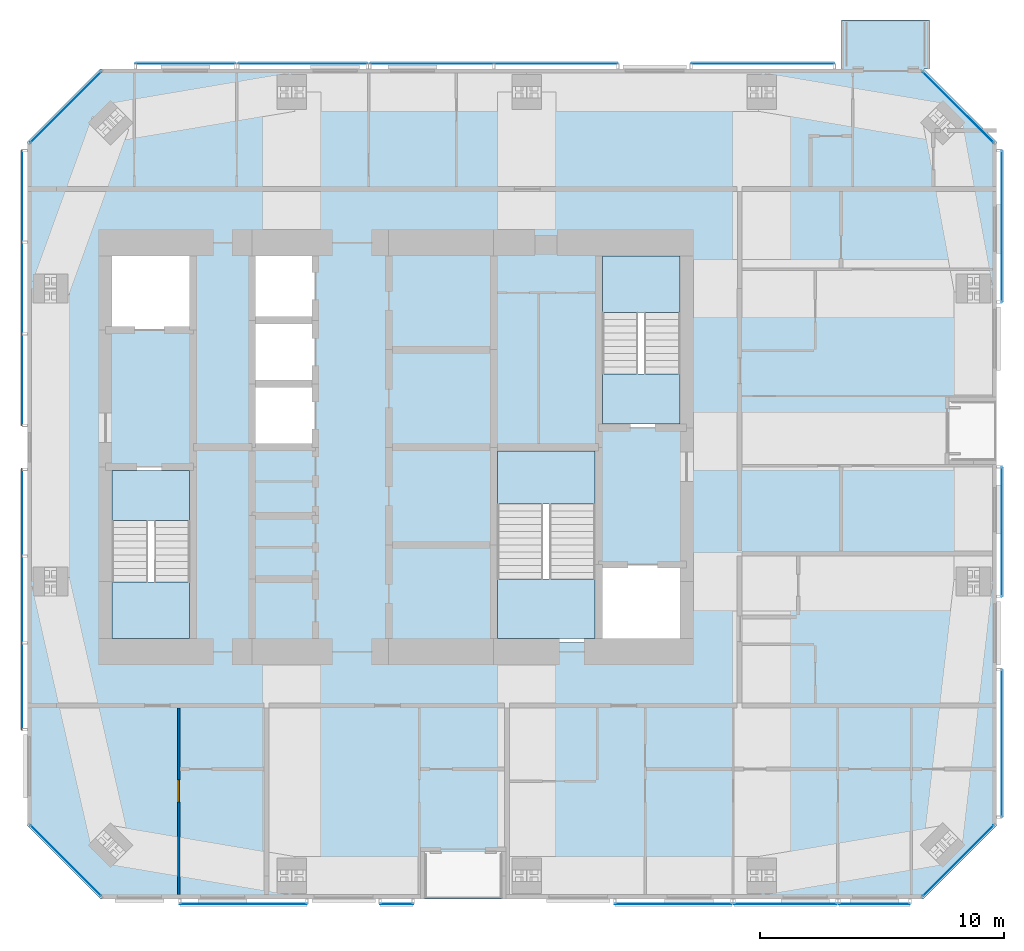
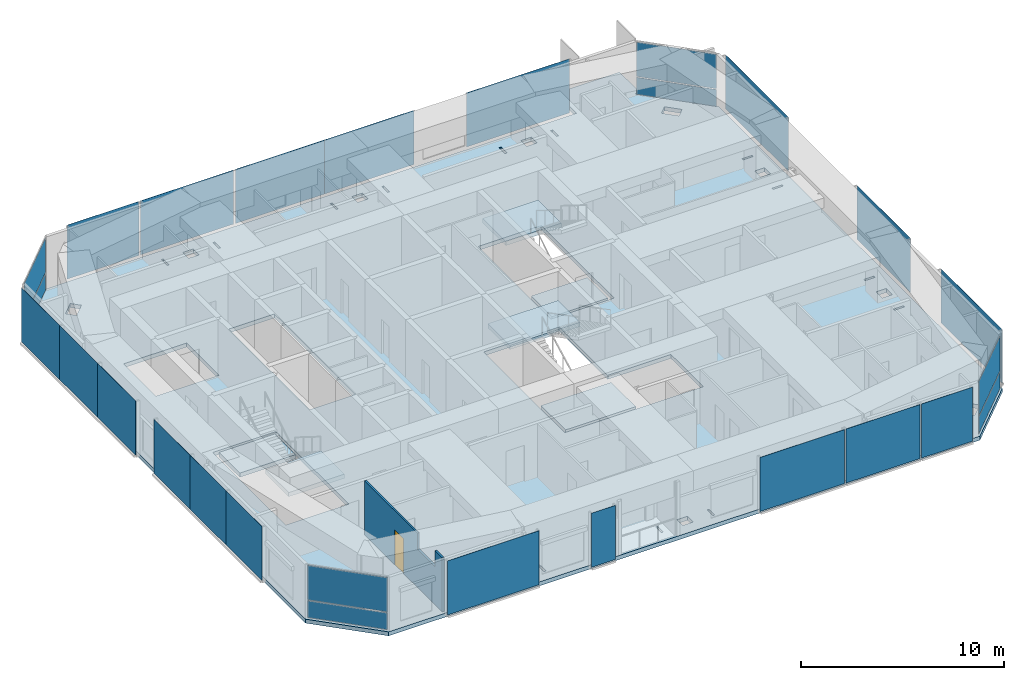
# One storey, part 13 of 20: 27 plates, 7 slabs, 1 door, 1 wall, 1 opening, 21 elements without a shape of their own.
"""IFC4 building model written with IfcOpenShell, lengths in metres."""

from ifc_helpers import new_model, si_unit, direction, frame, frame_2d, origin, origin_2d, place, context, subcontext, project, spatial, polyline, rectangle, outline, extrude, material, layer, layer_set, constituent, constituent_set, type_object, element, fill, aggregate, save


model = new_model("IFC4")

# Units and contexts
model_context = context("Model", 3, precision=1e-05, world=origin(), true_north=direction((0.0, 1.0)))
body_context = subcontext(model_context, "Body", "Model", "MODEL_VIEW")
ifc_project = project(units=[si_unit("LENGTHUNIT", "METRE"), si_unit("AREAUNIT", "SQUARE_METRE"), si_unit("VOLUMEUNIT", "CUBIC_METRE"), si_unit("PLANEANGLEUNIT", "RADIAN"), si_unit("MASSUNIT", "GRAM", prefix="KILO")], contexts=[model_context])

# Site, building, storey
site_placement = place(None, origin())
site = spatial("IfcSite", under=ifc_project, at=site_placement, CompositionType="ELEMENT")
building_placement = place(site_placement, origin())
building = spatial("IfcBuilding", under=site, at=building_placement, Name="Jalousie Tower", CompositionType="ELEMENT")
storey_placement = place(building_placement, frame((0.0, 0.0, 238.949951171875)))
storey = spatial("IfcBuildingStorey", under=building, at=storey_placement, Name="L65", CompositionType="ELEMENT", Elevation=238.949951171875)

# Curtain wall, plates
ifc_material_1 = material(Name="Aluminium curtain wall", Category="aluminium")
curtain_wall_type_1 = type_object("IfcCurtainWallType", Name="CORNER WINDOW WALL", PredefinedType="USERDEFINED", material=ifc_material_1)
curtain_wall_1_placement = place(storey_placement, origin())
curtain_wall_1 = element("IfcCurtainWall", 1, at=curtain_wall_1_placement, inside=storey, type_object=curtain_wall_type_1, Name="Corner Window Wall L65 2", ObjectType="CORNER WINDOW WALL", PredefinedType="USERDEFINED")
ifc_material_2 = material(Name="Laminated impact-rated spandrel glass", Category="glass")
ifc_layer_1 = layer(ifc_material_2, 0.028076171875)
ifc_layer_set_1 = layer_set([ifc_layer_1], Name="Laminated impact-rated spandrel glass")
plate_type_1 = type_object("IfcPlateType", Name="CORNER WINDOW WALL PANEL", PredefinedType="CURTAIN_PANEL", material=ifc_layer_set_1)
plate_1_placement = place(storey_placement, frame((54.9306640625, 1.5693359375, 0.06005859375), z_axis=(0.0, 0.0, 1.0), x_axis=(0.707106781187, 0.707106781187, 0.0)))
plate_1 = element("IfcPlate", 2, at=plate_1_placement, type_object=plate_type_1, Name="CW-C panel 1.1", PredefinedType="CURTAIN_PANEL", context=body_context, shape_type="SweptSolid", body=[
    extrude(rectangle(XDim=4.071533203125, YDim=0.028076171875, at=origin_2d()), origin(), (0.0, 0.0, 1.0), 1.010009765625),
])
plate_2_placement = place(storey_placement, frame((54.9306640625, 1.5693359375, 1.1298828125), z_axis=(0.0, 0.0, 1.0), x_axis=(0.707106781187, 0.707106781187, 0.0)))
plate_2 = element("IfcPlate", 3, at=plate_2_placement, type_object=plate_type_1, Name="CW-C panel 1.2", PredefinedType="CURTAIN_PANEL", context=body_context, shape_type="SweptSolid", body=[
    extrude(rectangle(XDim=4.071533203125, YDim=0.028076171875, at=origin_2d()), origin(), (0.0, 0.0, 1.0), 2.070068359375),
])
aggregate(curtain_wall_1, [plate_1, plate_2])

curtain_wall_2_placement = place(storey_placement, origin())
curtain_wall_2 = element("IfcCurtainWall", 4, at=curtain_wall_2_placement, inside=storey, type_object=curtain_wall_type_1, Name="Corner Window Wall L65 4", ObjectType="CORNER WINDOW WALL", PredefinedType="USERDEFINED")
plate_3_placement = place(storey_placement, frame((54.9306640625, 32.4306640625, 0.06005859375), z_axis=(0.0, 0.0, 1.0), x_axis=(-0.707106781187, 0.707106781187, 0.0)))
plate_3 = element("IfcPlate", 5, at=plate_3_placement, type_object=plate_type_1, Name="CW-C panel 1.1", PredefinedType="CURTAIN_PANEL", context=body_context, shape_type="SweptSolid", body=[
    extrude(rectangle(XDim=4.071533203125, YDim=0.028076171875, at=origin_2d()), origin(), (0.0, 0.0, 1.0), 1.010009765625),
])
plate_4_placement = place(storey_placement, frame((54.9306640625, 32.4306640625, 1.1298828125), z_axis=(0.0, 0.0, 1.0), x_axis=(-0.707106781187, 0.707106781187, 0.0)))
plate_4 = element("IfcPlate", 6, at=plate_4_placement, type_object=plate_type_1, Name="CW-C panel 1.2", PredefinedType="CURTAIN_PANEL", context=body_context, shape_type="SweptSolid", body=[
    extrude(rectangle(XDim=4.071533203125, YDim=0.028076171875, at=origin_2d()), origin(), (0.0, 0.0, 1.0), 2.070068359375),
])
aggregate(curtain_wall_2, [plate_3, plate_4])

curtain_wall_3_placement = place(storey_placement, origin())
curtain_wall_3 = element("IfcCurtainWall", 7, at=curtain_wall_3_placement, inside=storey, type_object=curtain_wall_type_1, Name="Corner Window Wall L65 6", ObjectType="CORNER WINDOW WALL", PredefinedType="USERDEFINED")
plate_5_placement = place(storey_placement, frame((18.369384765625, 32.4306640625, 0.06005859375), z_axis=(0.0, 0.0, 1.0), x_axis=(-0.707106781187, -0.707106781187, 0.0)))
plate_5 = element("IfcPlate", 8, at=plate_5_placement, type_object=plate_type_1, Name="CW-C panel 1.1", PredefinedType="CURTAIN_PANEL", context=body_context, shape_type="SweptSolid", body=[
    extrude(rectangle(XDim=4.071533203125, YDim=0.028076171875, at=origin_2d()), origin(), (0.0, 0.0, 1.0), 1.010009765625),
])
plate_6_placement = place(storey_placement, frame((18.369384765625, 32.4306640625, 1.1298828125), z_axis=(0.0, 0.0, 1.0), x_axis=(-0.707106781187, -0.707106781187, 0.0)))
plate_6 = element("IfcPlate", 9, at=plate_6_placement, type_object=plate_type_1, Name="CW-C panel 1.2", PredefinedType="CURTAIN_PANEL", context=body_context, shape_type="SweptSolid", body=[
    extrude(rectangle(XDim=4.071533203125, YDim=0.028076171875, at=origin_2d()), origin(), (0.0, 0.0, 1.0), 2.070068359375),
])
aggregate(curtain_wall_3, [plate_5, plate_6])

curtain_wall_4_placement = place(storey_placement, origin())
curtain_wall_4 = element("IfcCurtainWall", 10, at=curtain_wall_4_placement, inside=storey, type_object=curtain_wall_type_1, Name="Corner Window Wall L65 8", ObjectType="CORNER WINDOW WALL", PredefinedType="USERDEFINED")
plate_7_placement = place(storey_placement, frame((18.369384765625, 1.5693359375, 0.06005859375), z_axis=(0.0, 0.0, 1.0), x_axis=(0.707106781187, -0.707106781187, 0.0)))
plate_7 = element("IfcPlate", 11, at=plate_7_placement, type_object=plate_type_1, Name="CW-C panel 1.1", PredefinedType="CURTAIN_PANEL", context=body_context, shape_type="SweptSolid", body=[
    extrude(rectangle(XDim=4.071533203125, YDim=0.028076171875, at=origin_2d()), origin(), (0.0, 0.0, 1.0), 1.010009765625),
])
plate_8_placement = place(storey_placement, frame((18.369384765625, 1.5693359375, 1.1298828125), z_axis=(0.0, 0.0, 1.0), x_axis=(0.707106781187, -0.707106781187, 0.0)))
plate_8 = element("IfcPlate", 12, at=plate_8_placement, type_object=plate_type_1, Name="CW-C panel 1.2", PredefinedType="CURTAIN_PANEL", context=body_context, shape_type="SweptSolid", body=[
    extrude(rectangle(XDim=4.071533203125, YDim=0.028076171875, at=origin_2d()), origin(), (0.0, 0.0, 1.0), 2.070068359375),
])
aggregate(curtain_wall_4, [plate_7, plate_8])

# Slab
ifc_material_3 = material(Name="Concrete f'c 40 MPa", Category="concrete")
ifc_layer_2 = layer(ifc_material_3, 0.239990234375)
ifc_layer_set_2 = layer_set([ifc_layer_2], Name="Concrete f'c 40 MPa")
slab_type_1 = type_object("IfcSlabType", Name="FLOOR SLAB 240", PredefinedType="FLOOR", material=ifc_layer_set_2)
slab_1_placement = place(storey_placement, frame((0.0, 0.0, -0.239990234375)))
element("IfcSlab", 13, at=slab_1_placement, inside=storey, type_object=slab_type_1, Name="L65 floor slab", PredefinedType="FLOOR", context=body_context, shape_type="SweptSolid", body=[
    extrude(outline(polyline([(16.800048828125, 3.0), (16.800048828125, 31.0), (19.800048828125, 34.0), (50.148681640625, 34.0), (50.148681640625, 36.0), (53.748779296875, 36.0), (53.748779296875, 34.0), (53.5, 34.0), (56.5, 31.0), (56.5, 3.0), (53.5, 0.0), (19.800048828125, 0.0), (16.800048828125, 3.0)]), holes=[polyline([(55.836181640625, 26.52490234375), (55.263916015625, 26.52490234375), (55.263916015625, 26.4111328125), (55.836181640625, 26.4111328125), (55.836181640625, 26.52490234375)]), polyline([(55.263916015625, 25.300048828125), (55.263916015625, 24.699951171875), (55.836181640625, 24.699951171875), (55.836181640625, 25.300048828125), (55.263916015625, 25.300048828125)]), polyline([(55.836181640625, 14.52490234375), (55.263916015625, 14.52490234375), (55.263916015625, 14.4111328125), (55.836181640625, 14.4111328125), (55.836181640625, 14.52490234375)]), polyline([(55.263916015625, 13.300048828125), (55.263916015625, 12.699951171875), (55.836181640625, 12.699951171875), (55.836181640625, 13.300048828125), (55.263916015625, 13.300048828125)]), polyline([(55.263916015625, 23.47509765625), (55.836181640625, 23.47509765625), (55.836181640625, 23.5888671875), (55.263916015625, 23.5888671875), (55.263916015625, 23.47509765625)]), polyline([(55.263916015625, 11.47509765625), (55.836181640625, 11.47509765625), (55.836181640625, 11.5888671875), (55.263916015625, 11.5888671875), (55.263916015625, 11.47509765625)]), polyline([(54.8134765625, 31.677001953125), (54.177001953125, 32.3134765625), (53.772216796875, 31.90869140625), (54.40869140625, 31.272216796875), (54.8134765625, 31.677001953125)]), polyline([(54.177001953125, 1.6865234375), (54.8134765625, 2.322998046875), (54.40869140625, 2.727783203125), (53.772216796875, 2.09130859375), (54.177001953125, 1.6865234375)]), polyline([(48.39990234375, 32.763916015625), (48.39990234375, 33.336181640625), (48.2861328125, 33.336181640625), (48.2861328125, 32.763916015625), (48.39990234375, 32.763916015625)]), polyline([(48.39990234375, 0.663818359375), (48.39990234375, 1.236083984375), (48.2861328125, 1.236083984375), (48.2861328125, 0.663818359375), (48.39990234375, 0.663818359375)]), polyline([(46.574951171875, 32.763916015625), (47.175048828125, 32.763916015625), (47.175048828125, 33.336181640625), (46.574951171875, 33.336181640625), (46.574951171875, 32.763916015625)]), polyline([(46.574951171875, 0.663818359375), (47.175048828125, 0.663818359375), (47.175048828125, 1.236083984375), (46.574951171875, 1.236083984375), (46.574951171875, 0.663818359375)]), polyline([(45.35009765625, 33.336181640625), (45.35009765625, 32.763916015625), (45.4638671875, 32.763916015625), (45.4638671875, 33.336181640625), (45.35009765625, 33.336181640625)]), polyline([(45.35009765625, 0.663818359375), (45.4638671875, 0.663818359375), (45.4638671875, 1.236083984375), (45.35009765625, 1.236083984375), (45.35009765625, 0.663818359375)]), polyline([(43.800048828125, 19.300048828125), (43.800048828125, 26.5), (40.199951171875, 26.5), (40.199951171875, 19.300048828125), (43.800048828125, 19.300048828125)]), polyline([(35.89990234375, 18.5), (35.89990234375, 10.5), (43.800048828125, 10.5), (43.800048828125, 13.699951171875), (40.199951171875, 13.699951171875), (40.199951171875, 18.5), (35.89990234375, 18.5)]), polyline([(38.77490234375, 32.763916015625), (38.77490234375, 33.336181640625), (38.6611328125, 33.336181640625), (38.6611328125, 32.763916015625), (38.77490234375, 32.763916015625)]), polyline([(38.77490234375, 0.663818359375), (38.77490234375, 1.236083984375), (38.6611328125, 1.236083984375), (38.6611328125, 0.663818359375), (38.77490234375, 0.663818359375)]), polyline([(36.949951171875, 32.763916015625), (37.550048828125, 32.763916015625), (37.550048828125, 33.336181640625), (36.949951171875, 33.336181640625), (36.949951171875, 32.763916015625)]), polyline([(37.550048828125, 1.236083984375), (36.949951171875, 1.236083984375), (36.949951171875, 0.663818359375), (37.550048828125, 0.663818359375), (37.550048828125, 1.236083984375)]), polyline([(35.72509765625, 1.236083984375), (35.72509765625, 0.663818359375), (35.8388671875, 0.663818359375), (35.8388671875, 1.236083984375), (35.72509765625, 1.236083984375)]), polyline([(35.72509765625, 32.763916015625), (35.8388671875, 32.763916015625), (35.8388671875, 33.336181640625), (35.72509765625, 33.336181640625), (35.72509765625, 32.763916015625)]), polyline([(29.14990234375, 1.236083984375), (29.0361328125, 1.236083984375), (29.0361328125, 0.663818359375), (29.14990234375, 0.663818359375), (29.14990234375, 1.236083984375)]), polyline([(29.14990234375, 32.763916015625), (29.14990234375, 33.336181640625), (29.0361328125, 33.336181640625), (29.0361328125, 32.763916015625), (29.14990234375, 32.763916015625)]), polyline([(28.60009765625, 18.5), (28.60009765625, 26.5), (26.0, 26.5), (26.0, 18.5), (28.60009765625, 18.5)]), polyline([(27.324951171875, 32.763916015625), (27.925048828125, 32.763916015625), (27.925048828125, 33.336181640625), (27.324951171875, 33.336181640625), (27.324951171875, 32.763916015625)]), polyline([(27.324951171875, 0.663818359375), (27.925048828125, 0.663818359375), (27.925048828125, 1.236083984375), (27.324951171875, 1.236083984375), (27.324951171875, 0.663818359375)]), polyline([(26.10009765625, 33.336181640625), (26.10009765625, 32.763916015625), (26.2138671875, 32.763916015625), (26.2138671875, 33.336181640625), (26.10009765625, 33.336181640625)]), polyline([(26.10009765625, 0.663818359375), (26.2138671875, 0.663818359375), (26.2138671875, 1.236083984375), (26.10009765625, 1.236083984375), (26.10009765625, 0.663818359375)]), polyline([(23.60009765625, 23.300048828125), (23.60009765625, 26.5), (20.0, 26.5), (20.0, 23.300048828125), (23.60009765625, 23.300048828125)]), polyline([(23.60009765625, 10.5), (23.60009765625, 17.699951171875), (20.0, 17.699951171875), (20.0, 10.5), (23.60009765625, 10.5)]), polyline([(19.6865234375, 2.322998046875), (20.322998046875, 1.6865234375), (20.727783203125, 2.09130859375), (20.09130859375, 2.727783203125), (19.6865234375, 2.322998046875)]), polyline([(19.6865234375, 31.677001953125), (20.09130859375, 31.272216796875), (20.727783203125, 31.90869140625), (20.322998046875, 32.3134765625), (19.6865234375, 31.677001953125)]), polyline([(17.4638671875, 11.47509765625), (18.0361328125, 11.47509765625), (18.0361328125, 11.5888671875), (17.4638671875, 11.5888671875), (17.4638671875, 11.47509765625)]), polyline([(18.0361328125, 26.52490234375), (17.4638671875, 26.52490234375), (17.4638671875, 26.4111328125), (18.0361328125, 26.4111328125), (18.0361328125, 26.52490234375)]), polyline([(18.0361328125, 25.300048828125), (17.4638671875, 25.300048828125), (17.4638671875, 24.699951171875), (18.0361328125, 24.699951171875), (18.0361328125, 25.300048828125)]), polyline([(18.0361328125, 14.52490234375), (17.4638671875, 14.52490234375), (17.4638671875, 14.4111328125), (18.0361328125, 14.4111328125), (18.0361328125, 14.52490234375)]), polyline([(17.4638671875, 13.300048828125), (17.4638671875, 12.699951171875), (18.0361328125, 12.699951171875), (18.0361328125, 13.300048828125), (17.4638671875, 13.300048828125)]), polyline([(17.4638671875, 23.47509765625), (18.0361328125, 23.47509765625), (18.0361328125, 23.5888671875), (17.4638671875, 23.5888671875), (17.4638671875, 23.47509765625)])]), origin(), (0.0, 0.0, 1.0), 0.239990234375),
])

# Curtain wall, plate
ifc_material_4 = material(Name="Perforated aluminium sheet", Category="aluminium")
curtain_wall_type_2 = type_object("IfcCurtainWallType", Name="SOLAR SCREEN SS-2", PredefinedType="USERDEFINED", material=ifc_material_4)
curtain_wall_5_placement = place(storey_placement, origin())
curtain_wall_5 = element("IfcCurtainWall", 14, at=curtain_wall_5_placement, inside=storey, type_object=curtain_wall_type_2, Name="Solar screen L65", ObjectType="SOLAR SCREEN SS-2", PredefinedType="USERDEFINED")
ifc_material_5 = material(Name="Perforated aluminium sheet", Category="aluminium")
ifc_layer_3 = layer(ifc_material_5, 0.006103515625)
ifc_layer_set_3 = layer_set([ifc_layer_3], Name="Perforated aluminium sheet")
plate_type_2 = type_object("IfcPlateType", Name="SOLAR SCREEN SS-2 PANEL", PredefinedType="CURTAIN_PANEL", material=ifc_layer_set_3)
plate_9_placement = place(storey_placement, frame((25.64990234375, -0.201171875, 0.0), z_axis=(0.0, 0.0, 1.0), x_axis=(1.0, 0.0, 0.0)))
plate_9 = element("IfcPlate", 15, at=plate_9_placement, type_object=plate_type_2, Name="SS2 perforated panel 1", PredefinedType="CURTAIN_PANEL", context=body_context, shape_type="SweptSolid", body=[
    extrude(rectangle(XDim=5.199951171875, YDim=0.006103515625, at=origin_2d()), origin(), (0.0, 0.0, 1.0), 3.260009765625),
])
aggregate(curtain_wall_5, [plate_9])

curtain_wall_6_placement = place(storey_placement, origin())
curtain_wall_6 = element("IfcCurtainWall", 16, at=curtain_wall_6_placement, inside=storey, type_object=curtain_wall_type_2, Name="Solar screen L65", ObjectType="SOLAR SCREEN SS-2", PredefinedType="USERDEFINED")
plate_10_placement = place(storey_placement, frame((31.925048828125, -0.201171875, 0.0), z_axis=(0.0, 0.0, 1.0), x_axis=(1.0, 0.0, 0.0)))
plate_10 = element("IfcPlate", 17, at=plate_10_placement, type_object=plate_type_2, Name="SS2 perforated panel 1", PredefinedType="CURTAIN_PANEL", context=body_context, shape_type="SweptSolid", body=[
    extrude(rectangle(XDim=1.35009765625, YDim=0.006103515625, at=origin_2d()), origin(), (0.0, 0.0, 1.0), 3.260009765625),
])
aggregate(curtain_wall_6, [plate_10])

curtain_wall_7_placement = place(storey_placement, origin())
curtain_wall_7 = element("IfcCurtainWall", 18, at=curtain_wall_7_placement, inside=storey, type_object=curtain_wall_type_2, Name="Solar screen L65", ObjectType="SOLAR SCREEN SS-2", PredefinedType="USERDEFINED")
plate_11_placement = place(storey_placement, frame((43.2548828125, -0.201171875, 0.0), z_axis=(0.0, 0.0, 1.0), x_axis=(1.0, 0.0, 0.0)))
plate_11 = element("IfcPlate", 19, at=plate_11_placement, type_object=plate_type_2, Name="SS2 perforated panel 1", PredefinedType="CURTAIN_PANEL", context=body_context, shape_type="SweptSolid", body=[
    extrude(rectangle(XDim=4.7900390625, YDim=0.006103515625, at=origin_2d()), origin(), (0.0, 0.0, 1.0), 3.260009765625),
])
aggregate(curtain_wall_7, [plate_11])

curtain_wall_8_placement = place(storey_placement, origin())
curtain_wall_8 = element("IfcCurtainWall", 20, at=curtain_wall_8_placement, inside=storey, type_object=curtain_wall_type_2, Name="Solar screen L65", ObjectType="SOLAR SCREEN SS-2", PredefinedType="USERDEFINED")
plate_12_placement = place(storey_placement, frame((47.85009765625, -0.201171875, 0.0), z_axis=(0.0, 0.0, 1.0), x_axis=(1.0, 0.0, 0.0)))
plate_12 = element("IfcPlate", 21, at=plate_12_placement, type_object=plate_type_2, Name="SS2 perforated panel 1", PredefinedType="CURTAIN_PANEL", context=body_context, shape_type="SweptSolid", body=[
    extrude(rectangle(XDim=4.199951171875, YDim=0.006103515625, at=origin_2d()), origin(), (0.0, 0.0, 1.0), 3.260009765625),
])
aggregate(curtain_wall_8, [plate_12])

curtain_wall_9_placement = place(storey_placement, origin())
curtain_wall_9 = element("IfcCurtainWall", 22, at=curtain_wall_9_placement, inside=storey, type_object=curtain_wall_type_2, Name="Solar screen L65", ObjectType="SOLAR SCREEN SS-2", PredefinedType="USERDEFINED")
plate_13_placement = place(storey_placement, frame((51.5, -0.201171875, 0.0), z_axis=(0.0, 0.0, 1.0), x_axis=(1.0, 0.0, 0.0)))
plate_13 = element("IfcPlate", 23, at=plate_13_placement, type_object=plate_type_2, Name="SS2 perforated panel 1", PredefinedType="CURTAIN_PANEL", context=body_context, shape_type="SweptSolid", body=[
    extrude(rectangle(XDim=2.89990234375, YDim=0.006103515625, at=origin_2d()), origin(), (0.0, 0.0, 1.0), 3.260009765625),
])
aggregate(curtain_wall_9, [plate_13])

curtain_wall_10_placement = place(storey_placement, origin())
curtain_wall_10 = element("IfcCurtainWall", 24, at=curtain_wall_10_placement, inside=storey, type_object=curtain_wall_type_2, Name="Solar screen L65", ObjectType="SOLAR SCREEN SS-2", PredefinedType="USERDEFINED")
plate_14_placement = place(storey_placement, frame((56.701171875, 6.371337890625, 0.0), z_axis=(0.0, 0.0, 1.0), x_axis=(0.0, 1.0, 0.0)))
plate_14 = element("IfcPlate", 25, at=plate_14_placement, type_object=plate_type_2, Name="SS2 perforated panel 1", PredefinedType="CURTAIN_PANEL", context=body_context, shape_type="SweptSolid", body=[
    extrude(rectangle(XDim=6.0400390625, YDim=0.006103515625, at=origin_2d()), origin(), (0.0, 0.0, 1.0), 3.260009765625),
])
aggregate(curtain_wall_10, [plate_14])

curtain_wall_11_placement = place(storey_placement, origin())
curtain_wall_11 = element("IfcCurtainWall", 26, at=curtain_wall_11_placement, inside=storey, type_object=curtain_wall_type_2, Name="Solar screen L65", ObjectType="SOLAR SCREEN SS-2", PredefinedType="USERDEFINED")
plate_15_placement = place(storey_placement, frame((56.701171875, 15.045654296875, 0.0), z_axis=(0.0, 0.0, 1.0), x_axis=(0.0, 1.0, 0.0)))
plate_15 = element("IfcPlate", 27, at=plate_15_placement, type_object=plate_type_2, Name="SS2 perforated panel 1", PredefinedType="CURTAIN_PANEL", context=body_context, shape_type="SweptSolid", body=[
    extrude(rectangle(XDim=5.30859375, YDim=0.006103515625, at=origin_2d()), origin(), (0.0, 0.0, 1.0), 3.260009765625),
])
aggregate(curtain_wall_11, [plate_15])

curtain_wall_12_placement = place(storey_placement, origin())
curtain_wall_12 = element("IfcCurtainWall", 28, at=curtain_wall_12_placement, inside=storey, type_object=curtain_wall_type_2, Name="Solar screen L65", ObjectType="SOLAR SCREEN SS-2", PredefinedType="USERDEFINED")
plate_16_placement = place(storey_placement, frame((56.701171875, 27.54931640625, 0.0), z_axis=(0.0, 0.0, 1.0), x_axis=(0.0, 1.0, 0.0)))
plate_16 = element("IfcPlate", 29, at=plate_16_placement, type_object=plate_type_2, Name="SS2 perforated panel 1", PredefinedType="CURTAIN_PANEL", context=body_context, shape_type="SweptSolid", body=[
    extrude(rectangle(XDim=6.19873046875, YDim=0.006103515625, at=origin_2d()), origin(), (0.0, 0.0, 1.0), 3.260009765625),
])
aggregate(curtain_wall_12, [plate_16])

curtain_wall_13_placement = place(storey_placement, origin())
curtain_wall_13 = element("IfcCurtainWall", 30, at=curtain_wall_13_placement, inside=storey, type_object=curtain_wall_type_2, Name="Solar screen L65", ObjectType="SOLAR SCREEN SS-2", PredefinedType="USERDEFINED")
plate_17_placement = place(storey_placement, frame((46.918701171875, 34.201171875, 0.0), z_axis=(0.0, 0.0, 1.0), x_axis=(-1.0, 0.0, 0.0)))
plate_17 = element("IfcPlate", 31, at=plate_17_placement, type_object=plate_type_2, Name="SS2 perforated panel 1", PredefinedType="CURTAIN_PANEL", context=body_context, shape_type="SweptSolid", body=[
    extrude(rectangle(XDim=5.860107421875, YDim=0.006103515625, at=origin_2d()), origin(), (0.0, 0.0, 1.0), 3.260009765625),
])
aggregate(curtain_wall_13, [plate_17])

# Curtain wall, plates
curtain_wall_14_placement = place(storey_placement, origin())
curtain_wall_14 = element("IfcCurtainWall", 32, at=curtain_wall_14_placement, inside=storey, type_object=curtain_wall_type_2, Name="Solar screen L65", ObjectType="SOLAR SCREEN SS-2", PredefinedType="USERDEFINED")
plate_18_placement = place(storey_placement, frame((38.44775390625, 34.201171875, 0.0), z_axis=(0.0, 0.0, 1.0), x_axis=(-1.0, 0.0, 0.0)))
plate_18 = element("IfcPlate", 33, at=plate_18_placement, type_object=plate_type_2, Name="SS2 perforated panel 1", PredefinedType="CURTAIN_PANEL", context=body_context, shape_type="SweptSolid", body=[
    extrude(rectangle(XDim=5.081787109375, YDim=0.006103515625, at=origin_2d()), origin(), (0.0, 0.0, 1.0), 3.260009765625),
])
plate_19_placement = place(storey_placement, frame((33.365966796875, 34.201171875, 0.0), z_axis=(0.0, 0.0, 1.0), x_axis=(-1.0, 0.0, 0.0)))
plate_19 = element("IfcPlate", 34, at=plate_19_placement, type_object=plate_type_2, Name="SS2 perforated panel 2", PredefinedType="CURTAIN_PANEL", context=body_context, shape_type="SweptSolid", body=[
    extrude(rectangle(XDim=5.081787109375, YDim=0.006103515625, at=origin_2d()), origin(), (0.0, 0.0, 1.0), 3.260009765625),
])
aggregate(curtain_wall_14, [plate_18, plate_19])

# Curtain wall, plate
curtain_wall_15_placement = place(storey_placement, origin())
curtain_wall_15 = element("IfcCurtainWall", 35, at=curtain_wall_15_placement, inside=storey, type_object=curtain_wall_type_2, Name="Solar screen L65", ObjectType="SOLAR SCREEN SS-2", PredefinedType="USERDEFINED")
plate_20_placement = place(storey_placement, frame((28.074951171875, 34.201171875, 0.0), z_axis=(0.0, 0.0, 1.0), x_axis=(-1.0, 0.0, 0.0)))
plate_20 = element("IfcPlate", 36, at=plate_20_placement, type_object=plate_type_2, Name="SS2 perforated panel 1", PredefinedType="CURTAIN_PANEL", context=body_context, shape_type="SweptSolid", body=[
    extrude(rectangle(XDim=5.300048828125, YDim=0.006103515625, at=origin_2d()), origin(), (0.0, 0.0, 1.0), 3.260009765625),
])
aggregate(curtain_wall_15, [plate_20])

curtain_wall_16_placement = place(storey_placement, origin())
curtain_wall_16 = element("IfcCurtainWall", 37, at=curtain_wall_16_placement, inside=storey, type_object=curtain_wall_type_2, Name="Solar screen L65", ObjectType="SOLAR SCREEN SS-2", PredefinedType="USERDEFINED")
plate_21_placement = place(storey_placement, frame((23.275634765625, 34.201171875, 0.0), z_axis=(0.0, 0.0, 1.0), x_axis=(-1.0, 0.0, 0.0)))
plate_21 = element("IfcPlate", 38, at=plate_21_placement, type_object=plate_type_2, Name="SS2 perforated panel 1", PredefinedType="CURTAIN_PANEL", context=body_context, shape_type="SweptSolid", body=[
    extrude(rectangle(XDim=4.0986328125, YDim=0.006103515625, at=origin_2d()), origin(), (0.0, 0.0, 1.0), 3.260009765625),
])
aggregate(curtain_wall_16, [plate_21])

# Curtain wall, plates
curtain_wall_17_placement = place(storey_placement, origin())
curtain_wall_17 = element("IfcCurtainWall", 39, at=curtain_wall_17_placement, inside=storey, type_object=curtain_wall_type_2, Name="Solar screen L65", ObjectType="SOLAR SCREEN SS-2", PredefinedType="USERDEFINED")
plate_22_placement = place(storey_placement, frame((16.598876953125, 28.77392578125, 0.0), z_axis=(0.0, 0.0, 1.0), x_axis=(0.0, -1.0, 0.0)))
plate_22 = element("IfcPlate", 40, at=plate_22_placement, type_object=plate_type_2, Name="SS2 perforated panel 1", PredefinedType="CURTAIN_PANEL", context=body_context, shape_type="SweptSolid", body=[
    extrude(rectangle(XDim=3.74951171875, YDim=0.006103515625, at=origin_2d()), origin(), (0.0, 0.0, 1.0), 3.260009765625),
])
plate_23_placement = place(storey_placement, frame((16.598876953125, 25.0244140625, 0.0), z_axis=(0.0, 0.0, 1.0), x_axis=(0.0, -1.0, 0.0)))
plate_23 = element("IfcPlate", 41, at=plate_23_placement, type_object=plate_type_2, Name="SS2 perforated panel 2", PredefinedType="CURTAIN_PANEL", context=body_context, shape_type="SweptSolid", body=[
    extrude(rectangle(XDim=3.74951171875, YDim=0.006103515625, at=origin_2d()), origin(), (0.0, 0.0, 1.0), 3.260009765625),
])
plate_24_placement = place(storey_placement, frame((16.598876953125, 21.27490234375, 0.0), z_axis=(0.0, 0.0, 1.0), x_axis=(0.0, -1.0, 0.0)))
plate_24 = element("IfcPlate", 42, at=plate_24_placement, type_object=plate_type_2, Name="SS2 perforated panel 3", PredefinedType="CURTAIN_PANEL", context=body_context, shape_type="SweptSolid", body=[
    extrude(rectangle(XDim=3.74951171875, YDim=0.006103515625, at=origin_2d()), origin(), (0.0, 0.0, 1.0), 3.260009765625),
])
aggregate(curtain_wall_17, [plate_22, plate_23, plate_24])

curtain_wall_18_placement = place(storey_placement, origin())
curtain_wall_18 = element("IfcCurtainWall", 43, at=curtain_wall_18_placement, inside=storey, type_object=curtain_wall_type_2, Name="Solar screen L65", ObjectType="SOLAR SCREEN SS-2", PredefinedType="USERDEFINED")
plate_25_placement = place(storey_placement, frame((16.598876953125, 15.822998046875, 0.0), z_axis=(0.0, 0.0, 1.0), x_axis=(0.0, -1.0, 0.0)))
plate_25 = element("IfcPlate", 44, at=plate_25_placement, type_object=plate_type_2, Name="SS2 perforated panel 1", PredefinedType="CURTAIN_PANEL", context=body_context, shape_type="SweptSolid", body=[
    extrude(rectangle(XDim=3.553955078125, YDim=0.006103515625, at=origin_2d()), origin(), (0.0, 0.0, 1.0), 3.260009765625),
])
plate_26_placement = place(storey_placement, frame((16.598876953125, 12.26904296875, 0.0), z_axis=(0.0, 0.0, 1.0), x_axis=(0.0, -1.0, 0.0)))
plate_26 = element("IfcPlate", 45, at=plate_26_placement, type_object=plate_type_2, Name="SS2 perforated panel 2", PredefinedType="CURTAIN_PANEL", context=body_context, shape_type="SweptSolid", body=[
    extrude(rectangle(XDim=3.553955078125, YDim=0.006103515625, at=origin_2d()), origin(), (0.0, 0.0, 1.0), 3.260009765625),
])
plate_27_placement = place(storey_placement, frame((16.598876953125, 8.715087890625, 0.0), z_axis=(0.0, 0.0, 1.0), x_axis=(0.0, -1.0, 0.0)))
plate_27 = element("IfcPlate", 46, at=plate_27_placement, type_object=plate_type_2, Name="SS2 perforated panel 3", PredefinedType="CURTAIN_PANEL", context=body_context, shape_type="SweptSolid", body=[
    extrude(rectangle(XDim=3.553955078125, YDim=0.006103515625, at=origin_2d()), origin(), (0.0, 0.0, 1.0), 3.260009765625),
])
aggregate(curtain_wall_18, [plate_25, plate_26, plate_27])

# Stair, slabs
ifc_material_6 = material(Name="Concrete f'c 40 MPa", Category="concrete")
stair_type = type_object("IfcStairType", Name="EXIT STAIR", PredefinedType="HALF_TURN_STAIR", material=ifc_material_6)
stair_1_placement = place(storey_placement, origin())
stair_1 = element("IfcStair", 47, at=stair_1_placement, inside=storey, type_object=stair_type, Name="Exit stair A L65", PredefinedType="HALF_TURN_STAIR")
ifc_material_7 = material(Name="Concrete f'c 40 MPa", Category="concrete")
ifc_layer_4 = layer(ifc_material_7, 0.25)
ifc_layer_set_4 = layer_set([ifc_layer_4], Name="Concrete f'c 40 MPa")
slab_type_2 = type_object("IfcSlabType", Name="STAIR LANDING 250", PredefinedType="LANDING", material=ifc_layer_set_4)
slab_2_placement = place(storey_placement, frame((0.0, 0.0, -0.25)))
slab_2 = element("IfcSlab", 48, at=slab_2_placement, type_object=slab_type_2, Name="ST-A landing 1", PredefinedType="LANDING", context=body_context, shape_type="SweptSolid", body=[
    extrude(outline(polyline([(20.27490234375, 15.49755859375), (23.449951171875, 15.49755859375), (23.449951171875, 17.550048828125), (20.27490234375, 17.550048828125), (20.27490234375, 15.49755859375)])), origin(), (0.0, 0.0, 1.0), 0.25),
])
slab_3_placement = place(storey_placement, frame((0.0, 0.0, 1.5)))
slab_3 = element("IfcSlab", 49, at=slab_3_placement, type_object=slab_type_2, Name="ST-A landing 2", PredefinedType="LANDING", context=body_context, shape_type="SweptSolid", body=[
    extrude(outline(polyline([(20.27490234375, 10.675048828125), (23.449951171875, 10.675048828125), (23.449951171875, 12.9775390625), (20.27490234375, 12.9775390625), (20.27490234375, 10.675048828125)])), origin(), (0.0, 0.0, 1.0), 0.25),
])
aggregate(stair_1, [slab_2, slab_3])

stair_2_placement = place(storey_placement, origin())
stair_2 = element("IfcStair", 50, at=stair_2_placement, inside=storey, type_object=stair_type, Name="Exit stair B L65", PredefinedType="HALF_TURN_STAIR")
slab_4_placement = place(storey_placement, frame((0.0, 0.0, -0.25)))
slab_4 = element("IfcSlab", 51, at=slab_4_placement, type_object=slab_type_2, Name="ST-B landing 1", PredefinedType="LANDING", context=body_context, shape_type="SweptSolid", body=[
    extrude(outline(polyline([(40.35009765625, 19.449951171875), (43.52490234375, 19.449951171875), (43.52490234375, 21.50244140625), (40.35009765625, 21.50244140625), (40.35009765625, 19.449951171875)])), origin(), (0.0, 0.0, 1.0), 0.25),
])
slab_5_placement = place(storey_placement, frame((0.0, 0.0, 1.5)))
slab_5 = element("IfcSlab", 52, at=slab_5_placement, type_object=slab_type_2, Name="ST-B landing 2", PredefinedType="LANDING", context=body_context, shape_type="SweptSolid", body=[
    extrude(outline(polyline([(40.35009765625, 24.0224609375), (43.52490234375, 24.0224609375), (43.52490234375, 26.324951171875), (40.35009765625, 26.324951171875), (40.35009765625, 24.0224609375)])), origin(), (0.0, 0.0, 1.0), 0.25),
])
aggregate(stair_2, [slab_4, slab_5])

stair_3_placement = place(storey_placement, origin())
stair_3 = element("IfcStair", 53, at=stair_3_placement, inside=storey, type_object=stair_type, Name="Exit stair C L65", PredefinedType="HALF_TURN_STAIR")
slab_6_placement = place(storey_placement, frame((0.0, 0.0, -0.25)))
slab_6 = element("IfcSlab", 54, at=slab_6_placement, type_object=slab_type_2, Name="ST-C landing 1", PredefinedType="LANDING", context=body_context, shape_type="SweptSolid", body=[
    extrude(outline(polyline([(36.050048828125, 10.675048828125), (40.050048828125, 10.675048828125), (40.050048828125, 13.097412109375), (36.050048828125, 13.097412109375), (36.050048828125, 10.675048828125)])), origin(), (0.0, 0.0, 1.0), 0.25),
])
slab_7_placement = place(storey_placement, frame((0.0, 0.0, 1.5)))
slab_7 = element("IfcSlab", 55, at=slab_7_placement, type_object=slab_type_2, Name="ST-C landing 2", PredefinedType="LANDING", context=body_context, shape_type="SweptSolid", body=[
    extrude(outline(polyline([(36.050048828125, 16.177490234375), (40.050048828125, 16.177490234375), (40.050048828125, 18.35009765625), (36.050048828125, 18.35009765625), (36.050048828125, 16.177490234375)])), origin(), (0.0, 0.0, 1.0), 0.25),
])
aggregate(stair_3, [slab_6, slab_7])

# Wall, opening, door
ifc_material_8 = material(Name="Gypsum board", Category="gypsum")
ifc_constituent_1 = constituent(ifc_material_8, Name="Body")
ifc_material_9 = material(Name="Light-gauge steel studs ASTM A653 SS Grade 33", Category="steel")
ifc_constituent_2 = constituent(ifc_material_9, Name="Framing")
ifc_constituent_set = constituent_set(constituents=[ifc_constituent_1, ifc_constituent_2])
wall_type = type_object("IfcWallType", Name="PARTITION 100", PredefinedType="PARTITIONING", material=ifc_constituent_set)
wall_placement = place(storey_placement, frame((23.0, 0.175048828125, 0.0), z_axis=(0.0, 0.0, 1.0), x_axis=(0.0, 1.0, 0.0)))
wall = element("IfcWall", 56, at=wall_placement, inside=storey, type_object=wall_type, Name="Partition 100 L65", PredefinedType="PARTITIONING", context=body_context, shape_type="SweptSolid", body=[
    extrude(outline(polyline([(0.0, 0.0), (7.64990234375, 0.0), (7.64990234375, 3.260009765625), (2.43115234375, 3.260009765625), (2.43115234375, 2.300048828125), (0.6865234375, 2.300048828125), (0.6865234375, 3.260009765625), (0.0, 3.260009765625), (0.0, 0.0)])), frame((0.0, 0.050048828125, 0.0), z_axis=(0.0, -1.0, 0.0), x_axis=(1.0, 0.0, 0.0)), (0.0, 0.0, 1.0), 0.10009765625),
])
opening_placement = place(wall_placement, frame((3.800048828125, 0.0, 0.0)))
opening = element("IfcOpeningElement", 57, at=opening_placement, cuts=wall, Name="Opening D2", PredefinedType="OPENING", context=body_context, shape_type="SweptSolid", body=[
    extrude(rectangle(XDim=0.89990234375, YDim=2.10009765625, at=frame_2d((0.449951171875, 1.050048828125))), frame((0.0, 0.06005859375, 0.0), z_axis=(0.0, -1.0, 0.0), x_axis=(1.0, 0.0, 0.0)), (0.0, 0.0, 1.0), 0.1201171875),
])
ifc_material_10 = material(Name="Timber door", Category="wood")
door_type = type_object("IfcDoorType", Name="BEDROOM DOOR 900", OperationType="SINGLE_SWING_LEFT", PredefinedType="DOOR", material=ifc_material_10)
door_placement = place(opening_placement, frame((0.89990234375, 0.0, 0.0), z_axis=(0.0, 0.0, 1.0), x_axis=(-1.0, 0.0, 0.0)))
door = element("IfcDoor", 58, at=door_placement, inside=storey, type_object=door_type, Name="Apartment 6501 bedroom 1 door", OperationType="SINGLE_SWING_LEFT", OverallHeight=2.10009765625, OverallWidth=0.89990234375, PredefinedType="DOOR", context=body_context, shape_type="SweptSolid", body=[
    extrude(rectangle(XDim=0.89990234375, YDim=2.10009765625, at=frame_2d((0.449951171875, 1.050048828125))), frame((0.0, 0.02490234375, 0.0), z_axis=(0.0, -1.0, 0.0), x_axis=(1.0, 0.0, 0.0)), (0.0, 0.0, 1.0), 0.050048828125),
])
fill(opening, door)

save(model, "model.ifc")
